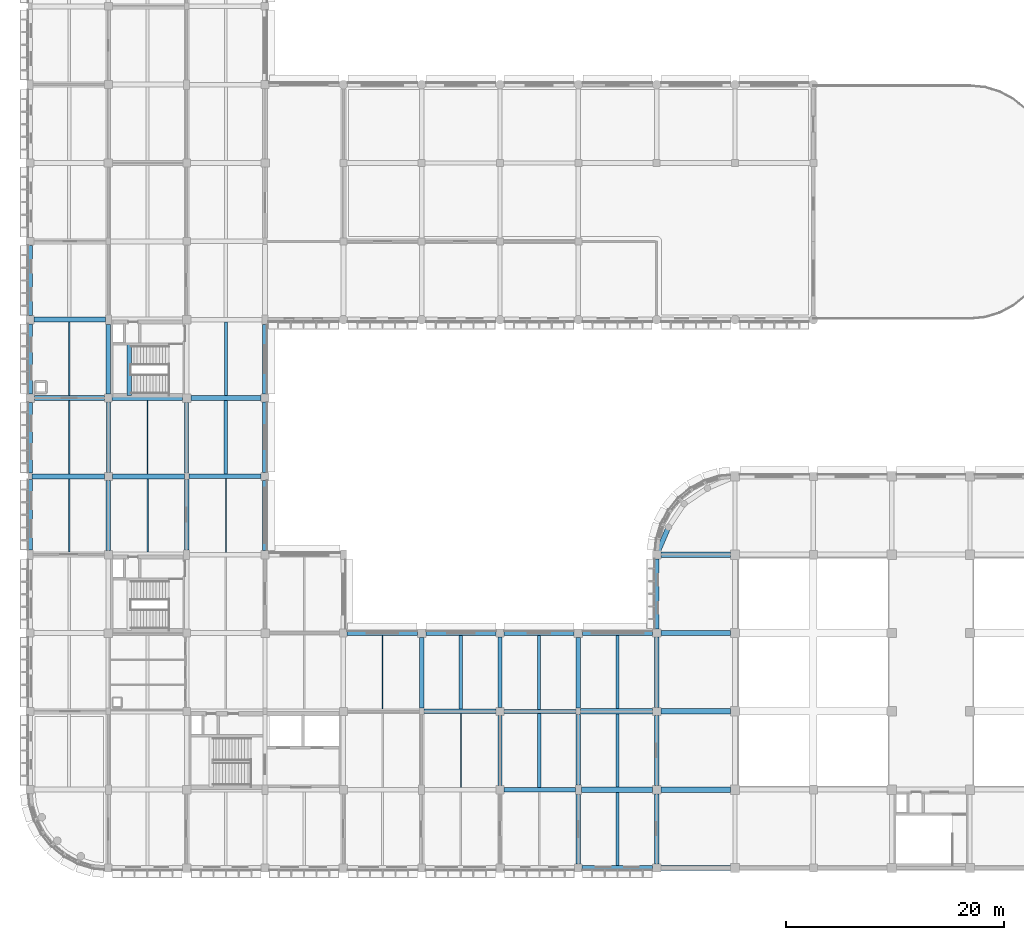
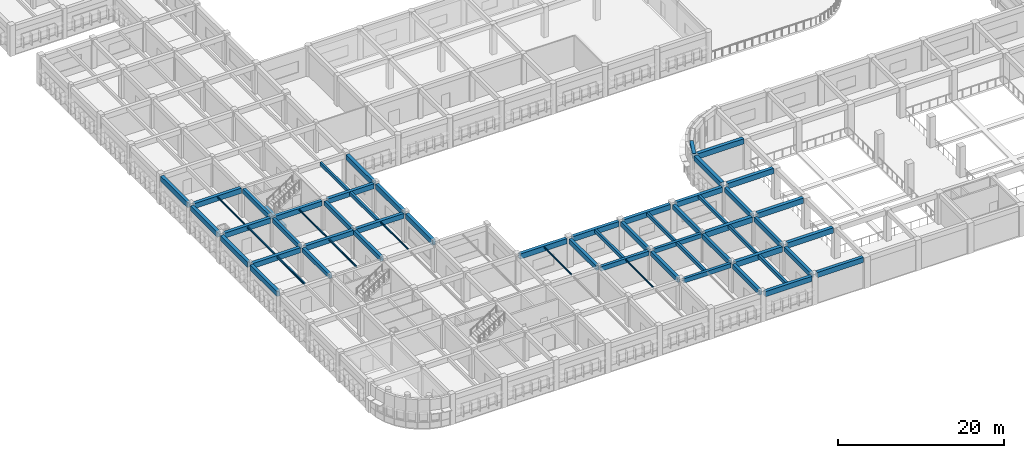
# One storey, part 4 of 61: 62 beams.
"""IFC4 building model written with IfcOpenShell, lengths in metres."""

from ifc_helpers import new_model, si_unit, direction, frame, origin, origin_2d, place, context, subcontext, project, spatial, rectangle, i_section, extrude, material, material_profile, profile_set, type_object, element, save


model = new_model("IFC4")

# Units and contexts
model_context = context("Model", 3, precision=1e-05, world=origin(), true_north=direction((0.0, 1.0)))
body_context = subcontext(model_context, "Body", "Model", "MODEL_VIEW")
ifc_project = project(units=[si_unit("LENGTHUNIT", "METRE"), si_unit("AREAUNIT", "SQUARE_METRE"), si_unit("VOLUMEUNIT", "CUBIC_METRE"), si_unit("PLANEANGLEUNIT", "RADIAN"), si_unit("MASSUNIT", "GRAM", prefix="KILO")], contexts=[model_context])

# Site, building, storey
site_placement = place(None, origin())
site = spatial("IfcSite", under=ifc_project, at=site_placement, CompositionType="ELEMENT")
building_placement = place(site_placement, origin())
building = spatial("IfcBuilding", under=site, at=building_placement, Name="Thalmaran Polytechnic", CompositionType="ELEMENT")
storey_placement = place(building_placement, frame((0.0, 0.0, 9.89990234375)))
storey = spatial("IfcBuildingStorey", under=building, at=storey_placement, Name="L02", CompositionType="ELEMENT", Elevation=9.89990234375)

# Beams
ifc_material_1 = material(Name="Concrete C40/50", Category="concrete")
ifc_material_profile_1 = material_profile(ifc_material_1, rectangle(XDim=0.5, YDim=0.800048828125, at=origin_2d()), Name="RC 500x800")
ifc_profile_set_1 = profile_set([ifc_material_profile_1], Name="Concrete C40/50")
beam_type_1 = type_object("IfcBeamType", Name="BM-RC02", PredefinedType="BEAM", material=ifc_profile_set_1)
beam_1_placement = place(storey_placement, frame((50.675048828125, 7.199951171875, 3.815185546875), z_axis=(1.0, 0.0, 0.0), x_axis=(0.0, 1.0, 0.0)))
element("IfcBeam", 1, at=beam_1_placement, inside=storey, type_object=beam_type_1, Name="Grid Beam B02 L02 X(7,1)", PredefinedType="BEAM", context=body_context, shape_type="SweptSolid", body=[
    extrude(rectangle(XDim=0.5, YDim=0.800048828125, at=origin_2d()), origin(), (0.0, 0.0, 1.0), 6.550048828125),
])
beam_2_placement = place(storey_placement, frame((50.60009765625, 14.39990234375, 3.815185546875), z_axis=(1.0, 0.0, 0.0), x_axis=(0.0, 1.0, 0.0)))
element("IfcBeam", 2, at=beam_2_placement, inside=storey, type_object=beam_type_1, Name="Grid Beam B02 L02 X(7,2)", PredefinedType="BEAM", context=body_context, shape_type="SweptSolid", body=[
    extrude(rectangle(XDim=0.5, YDim=0.800048828125, at=origin_2d()), origin(), (0.0, 0.0, 1.0), 6.625),
])
ifc_material_profile_2 = material_profile(ifc_material_1, rectangle(XDim=0.449951171875, YDim=0.72509765625, at=origin_2d()), Name="RC 450x725")
ifc_profile_set_2 = profile_set([ifc_material_profile_2], Name="Concrete C40/50")
beam_type_2 = type_object("IfcBeamType", Name="BM-RC04", PredefinedType="BEAM", material=ifc_profile_set_2)
beam_3_placement = place(storey_placement, frame((7.56005859375, 36.0, 3.862548828125), z_axis=(1.0, 0.0, 0.0), x_axis=(0.0, 1.0, 0.0)))
element("IfcBeam", 3, at=beam_3_placement, inside=storey, type_object=beam_type_2, Name="Grid Beam B04 L02 X(1,5)", PredefinedType="BEAM", context=body_context, shape_type="SweptSolid", body=[
    extrude(rectangle(XDim=0.449951171875, YDim=0.72509765625, at=origin_2d()), origin(), (0.0, 0.0, 1.0), 6.639892578125),
])
beam_4_placement = place(storey_placement, frame((7.550048828125, 43.199951171875, 3.862548828125), z_axis=(1.0, 0.0, 0.0), x_axis=(0.0, 1.0, 0.0)))
element("IfcBeam", 4, at=beam_4_placement, inside=storey, type_object=beam_type_2, Name="Grid Beam B04 L02 X(1,6)", PredefinedType="BEAM", context=body_context, shape_type="SweptSolid", body=[
    extrude(rectangle(XDim=0.449951171875, YDim=0.72509765625, at=origin_2d()), origin(), (0.0, 0.0, 1.0), 6.4599609375),
])
ifc_material_profile_3 = material_profile(ifc_material_1, rectangle(XDim=0.39990234375, YDim=0.64990234375, at=origin_2d()), Name="RC 400x650")
ifc_profile_set_3 = profile_set([ifc_material_profile_3], Name="Concrete C40/50")
beam_type_3 = type_object("IfcBeamType", Name="BM-RC06", PredefinedType="BEAM", material=ifc_profile_set_3)
beam_5_placement = place(storey_placement, frame((36.199951171875, 14.39990234375, 3.89013671875), z_axis=(1.0, 0.0, 0.0), x_axis=(0.0, 1.0, 0.0)))
element("IfcBeam", 5, at=beam_5_placement, inside=storey, type_object=beam_type_3, Name="Grid Beam B06 L02 X(5,2)", PredefinedType="BEAM", context=body_context, shape_type="SweptSolid", body=[
    extrude(rectangle(XDim=0.39990234375, YDim=0.64990234375, at=origin_2d()), origin(), (0.0, 0.0, 1.0), 6.64013671875),
])
ifc_material_profile_4 = material_profile(ifc_material_1, rectangle(XDim=0.39990234375, YDim=0.6298828125, at=origin_2d()), Name="RC 400x630")
ifc_profile_set_4 = profile_set([ifc_material_profile_4], Name="Concrete C40/50")
beam_type_4 = type_object("IfcBeamType", Name="BM-RC07", PredefinedType="BEAM", material=ifc_profile_set_4)
beam_6_placement = place(storey_placement, frame((7.199951171875, 29.175048828125, 3.91015625), z_axis=(0.0, 1.0, 0.0), x_axis=(-1.0, 0.0, 0.0)))
element("IfcBeam", 6, at=beam_6_placement, inside=storey, type_object=beam_type_4, Name="Grid Beam B07 L02 Y(1,4)", PredefinedType="BEAM", context=body_context, shape_type="SweptSolid", body=[
    extrude(rectangle(XDim=0.39990234375, YDim=0.6298828125, at=origin_2d()), origin(), (0.0, 0.0, 1.0), 6.46484375),
])
beam_7_placement = place(storey_placement, frame((14.39990234375, 29.22509765625, 3.91015625), z_axis=(0.0, 1.0, 0.0), x_axis=(-1.0, 0.0, 0.0)))
element("IfcBeam", 7, at=beam_7_placement, inside=storey, type_object=beam_type_4, Name="Grid Beam B07 L02 Y(2,4)", PredefinedType="BEAM", context=body_context, shape_type="SweptSolid", body=[
    extrude(rectangle(XDim=0.39990234375, YDim=0.6298828125, at=origin_2d()), origin(), (0.0, 0.0, 1.0), 6.474853515625),
])
ifc_material_profile_5 = material_profile(ifc_material_1, rectangle(XDim=0.389892578125, YDim=0.68505859375, at=origin_2d()), Name="RC 390x685")
ifc_profile_set_5 = profile_set([ifc_material_profile_5], Name="Concrete C40/50")
beam_type_5 = type_object("IfcBeamType", Name="BM-RC08", PredefinedType="BEAM", material=ifc_profile_set_5)
beam_8_placement = place(storey_placement, frame((7.199951171875, 43.550048828125, 3.882568359375), z_axis=(0.0, 1.0, 0.0), x_axis=(-1.0, 0.0, 0.0)))
element("IfcBeam", 8, at=beam_8_placement, inside=storey, type_object=beam_type_5, Name="Grid Beam B08 L02 Y(1,6)", PredefinedType="BEAM", context=body_context, shape_type="SweptSolid", body=[
    extrude(rectangle(XDim=0.389892578125, YDim=0.68505859375, at=origin_2d()), origin(), (0.0, 0.0, 1.0), 6.425048828125),
])
ifc_material_profile_6 = material_profile(ifc_material_1, rectangle(XDim=0.389892578125, YDim=0.68994140625, at=origin_2d()), Name="RC 390x690")
ifc_profile_set_6 = profile_set([ifc_material_profile_6], Name="Concrete C40/50")
beam_type_6 = type_object("IfcBeamType", Name="BM-RC09", PredefinedType="BEAM", material=ifc_profile_set_6)
beam_9_placement = place(storey_placement, frame((43.199951171875, 7.574951171875, 3.8701171875), z_axis=(0.0, 1.0, 0.0), x_axis=(-1.0, 0.0, 0.0)))
element("IfcBeam", 9, at=beam_9_placement, inside=storey, type_object=beam_type_6, Name="Grid Beam B09 L02 Y(6,1)", PredefinedType="BEAM", context=body_context, shape_type="SweptSolid", body=[
    extrude(rectangle(XDim=0.389892578125, YDim=0.68994140625, at=origin_2d()), origin(), (0.0, 0.0, 1.0), 6.465087890625),
])
beam_10_placement = place(storey_placement, frame((50.39990234375, 7.625, 3.8701171875), z_axis=(0.0, 1.0, 0.0), x_axis=(-1.0, 0.0, 0.0)))
element("IfcBeam", 10, at=beam_10_placement, inside=storey, type_object=beam_type_6, Name="Grid Beam B09 L02 Y(7,1)", PredefinedType="BEAM", context=body_context, shape_type="SweptSolid", body=[
    extrude(rectangle(XDim=0.389892578125, YDim=0.68994140625, at=origin_2d()), origin(), (0.0, 0.0, 1.0), 6.47509765625),
])
beam_11_placement = place(storey_placement, frame((57.60009765625, 7.574951171875, 3.8701171875), z_axis=(0.0, 1.0, 0.0), x_axis=(-1.0, 0.0, 0.0)))
element("IfcBeam", 11, at=beam_11_placement, inside=storey, type_object=beam_type_6, Name="Grid Beam B09 L02 Y(8,1)", PredefinedType="BEAM", context=body_context, shape_type="SweptSolid", body=[
    extrude(rectangle(XDim=0.389892578125, YDim=0.68994140625, at=origin_2d()), origin(), (0.0, 0.0, 1.0), 6.449951171875),
])
ifc_material_profile_7 = material_profile(ifc_material_1, rectangle(XDim=0.389892578125, YDim=0.695068359375, at=origin_2d()), Name="RC 390x695")
ifc_profile_set_7 = profile_set([ifc_material_profile_7], Name="Concrete C40/50")
beam_type_7 = type_object("IfcBeamType", Name="BM-RC10", PredefinedType="BEAM", material=ifc_profile_set_7)
beam_12_placement = place(storey_placement, frame((9.1201171875, 43.43994140625, 1.7900390625), z_axis=(0.0, 1.0, 0.0), x_axis=(-1.0, 0.0, 0.0)))
element("IfcBeam", 12, at=beam_12_placement, inside=storey, type_object=beam_type_7, Name="ST4 L02 Half-Landing Trimmer Beam", PredefinedType="BEAM", context=body_context, shape_type="SweptSolid", body=[
    extrude(rectangle(XDim=0.389892578125, YDim=0.695068359375, at=origin_2d()), origin(), (0.0, 0.0, 1.0), 4.699951171875),
])
ifc_material_profile_8 = material_profile(ifc_material_1, rectangle(XDim=0.300048828125, YDim=0.5, at=origin_2d()), Name="RC 300x500")
ifc_profile_set_8 = profile_set([ifc_material_profile_8], Name="Concrete C40/50")
beam_type_8 = type_object("IfcBeamType", Name="BM-RC11", PredefinedType="JOIST", material=ifc_profile_set_8)
beam_13_placement = place(storey_placement, frame((18.0, 36.219970703125, 3.97509765625), z_axis=(0.0, 1.0, 0.0), x_axis=(-1.0, 0.0, 0.0)))
element("IfcBeam", 13, at=beam_13_placement, inside=storey, type_object=beam_type_8, Name="Secondary Floor Rib RB01 L02 (2,5)", PredefinedType="JOIST", context=body_context, shape_type="SweptSolid", body=[
    extrude(rectangle(XDim=0.300048828125, YDim=0.5, at=origin_2d()), origin(), (0.0, 0.0, 1.0), 6.760009765625),
])
beam_14_placement = place(storey_placement, frame((39.60009765625, 14.60009765625, 3.965087890625), z_axis=(0.0, 1.0, 0.0), x_axis=(-1.0, 0.0, 0.0)))
element("IfcBeam", 14, at=beam_14_placement, inside=storey, type_object=beam_type_8, Name="Secondary Floor Rib RB01 L02 (5,2)", PredefinedType="JOIST", context=body_context, shape_type="SweptSolid", body=[
    extrude(rectangle(XDim=0.300048828125, YDim=0.5, at=origin_2d()), origin(), (0.0, 0.0, 1.0), 6.77490234375),
])
beam_15_placement = place(storey_placement, frame((46.800048828125, 7.389892578125, 3.965087890625), z_axis=(0.0, 1.0, 0.0), x_axis=(-1.0, 0.0, 0.0)))
element("IfcBeam", 15, at=beam_15_placement, inside=storey, type_object=beam_type_8, Name="Secondary Floor Rib RB01 L02 (6,1)", PredefinedType="JOIST", context=body_context, shape_type="SweptSolid", body=[
    extrude(rectangle(XDim=0.300048828125, YDim=0.5, at=origin_2d()), origin(), (0.0, 0.0, 1.0), 6.820068359375),
])
beam_16_placement = place(storey_placement, frame((54.0, 0.22509765625, 3.965087890625), z_axis=(0.0, 1.0, 0.0), x_axis=(-1.0, 0.0, 0.0)))
element("IfcBeam", 16, at=beam_16_placement, inside=storey, type_object=beam_type_8, Name="Secondary Floor Rib RB01 L02 (7,0)", PredefinedType="JOIST", context=body_context, shape_type="SweptSolid", body=[
    extrude(rectangle(XDim=0.300048828125, YDim=0.5, at=origin_2d()), origin(), (0.0, 0.0, 1.0), 6.724853515625),
])
ifc_material_profile_9 = material_profile(ifc_material_1, rectangle(XDim=0.300048828125, YDim=0.449951171875, at=origin_2d()), Name="RC 300x450")
ifc_profile_set_9 = profile_set([ifc_material_profile_9], Name="Concrete C40/50")
beam_type_9 = type_object("IfcBeamType", Name="BM-RC12", PredefinedType="JOIST", material=ifc_profile_set_9)
beam_17_placement = place(storey_placement, frame((54.0, 14.64990234375, 3.989990234375), z_axis=(0.0, 1.0, 0.0), x_axis=(-1.0, 0.0, 0.0)))
element("IfcBeam", 17, at=beam_17_placement, inside=storey, type_object=beam_type_9, Name="Secondary Floor Rib RB02 L02 (7,2)", PredefinedType="JOIST", context=body_context, shape_type="SweptSolid", body=[
    extrude(rectangle(XDim=0.300048828125, YDim=0.449951171875, at=origin_2d()), origin(), (0.0, 0.0, 1.0), 6.72509765625),
])
ifc_material_2 = material(Name="Steel S355", Category="steel")
ifc_material_profile_10 = material_profile(ifc_material_2, i_section(OverallWidth=0.159912109375, OverallDepth=0.330078125, WebThickness=0.007568359375, FlangeThickness=0.011474609375, at=origin_2d()), Name="IPE 330")
ifc_profile_set_10 = profile_set([ifc_material_profile_10], Name="Steel S355")
beam_type_10 = type_object("IfcBeamType", Name="BM-SJ02", PredefinedType="JOIST", material=ifc_profile_set_10)
beam_18_placement = place(storey_placement, frame((3.60009765625, 29.030029296875, 4.06005859375), z_axis=(0.0, 1.0, 0.0), x_axis=(-1.0, 0.0, 0.0)))
element("IfcBeam", 18, at=beam_18_placement, inside=storey, type_object=beam_type_10, Name="Secondary Floor Rib SJ02 L02 (0,4)", PredefinedType="JOIST", context=body_context, shape_type="SweptSolid", body=[
    extrude(i_section(OverallWidth=0.159912109375, OverallDepth=0.330078125, WebThickness=0.007568359375, FlangeThickness=0.011474609375, at=origin_2d()), origin(), (0.0, 0.0, 1.0), 6.739990234375),
])
ifc_material_profile_11 = material_profile(ifc_material_2, i_section(OverallWidth=0.135009765625, OverallDepth=0.27001953125, WebThickness=0.006591796875, FlangeThickness=0.01025390625, at=origin_2d()), Name="IPE 270")
ifc_profile_set_11 = profile_set([ifc_material_profile_11], Name="Steel S355")
beam_type_11 = type_object("IfcBeamType", Name="BM-SJ03", PredefinedType="JOIST", material=ifc_profile_set_11)
beam_19_placement = place(storey_placement, frame((3.60009765625, 36.22998046875, 4.090087890625), z_axis=(0.0, 1.0, 0.0), x_axis=(-1.0, 0.0, 0.0)))
element("IfcBeam", 19, at=beam_19_placement, inside=storey, type_object=beam_type_11, Name="Secondary Floor Rib SJ03 L02 (0,5)", PredefinedType="JOIST", context=body_context, shape_type="SweptSolid", body=[
    extrude(i_section(OverallWidth=0.135009765625, OverallDepth=0.27001953125, WebThickness=0.006591796875, FlangeThickness=0.01025390625, at=origin_2d()), origin(), (0.0, 0.0, 1.0), 6.739990234375),
])
beam_20_placement = place(storey_placement, frame((10.800048828125, 29.02490234375, 4.090087890625), z_axis=(0.0, 1.0, 0.0), x_axis=(-1.0, 0.0, 0.0)))
element("IfcBeam", 20, at=beam_20_placement, inside=storey, type_object=beam_type_11, Name="Secondary Floor Rib SJ03 L02 (1,4)", PredefinedType="JOIST", context=body_context, shape_type="SweptSolid", body=[
    extrude(i_section(OverallWidth=0.135009765625, OverallDepth=0.27001953125, WebThickness=0.006591796875, FlangeThickness=0.01025390625, at=origin_2d()), origin(), (0.0, 0.0, 1.0), 6.75),
])
ifc_material_profile_12 = material_profile(ifc_material_2, i_section(OverallWidth=0.110107421875, OverallDepth=0.219970703125, WebThickness=0.005859375, FlangeThickness=0.00927734375, at=origin_2d()), Name="IPE 220")
ifc_profile_set_12 = profile_set([ifc_material_profile_12], Name="Steel S355")
beam_type_12 = type_object("IfcBeamType", Name="BM-SJ04", PredefinedType="JOIST", material=ifc_profile_set_12)
beam_21_placement = place(storey_placement, frame((3.60009765625, 43.429931640625, 4.114990234375), z_axis=(0.0, 1.0, 0.0), x_axis=(-1.0, 0.0, 0.0)))
element("IfcBeam", 21, at=beam_21_placement, inside=storey, type_object=beam_type_12, Name="Secondary Floor Rib SJ04 L02 (0,6)", PredefinedType="JOIST", context=body_context, shape_type="SweptSolid", body=[
    extrude(i_section(OverallWidth=0.110107421875, OverallDepth=0.219970703125, WebThickness=0.005859375, FlangeThickness=0.00927734375, at=origin_2d()), origin(), (0.0, 0.0, 1.0), 6.739990234375),
])
beam_22_placement = place(storey_placement, frame((10.800048828125, 36.22509765625, 4.114990234375), z_axis=(0.0, 1.0, 0.0), x_axis=(-1.0, 0.0, 0.0)))
element("IfcBeam", 22, at=beam_22_placement, inside=storey, type_object=beam_type_12, Name="Secondary Floor Rib SJ04 L02 (1,5)", PredefinedType="JOIST", context=body_context, shape_type="SweptSolid", body=[
    extrude(i_section(OverallWidth=0.110107421875, OverallDepth=0.219970703125, WebThickness=0.005859375, FlangeThickness=0.00927734375, at=origin_2d()), origin(), (0.0, 0.0, 1.0), 6.75),
])
beam_23_placement = place(storey_placement, frame((18.0, 29.02001953125, 4.114990234375), z_axis=(0.0, 1.0, 0.0), x_axis=(-1.0, 0.0, 0.0)))
element("IfcBeam", 23, at=beam_23_placement, inside=storey, type_object=beam_type_12, Name="Secondary Floor Rib SJ04 L02 (2,4)", PredefinedType="JOIST", context=body_context, shape_type="SweptSolid", body=[
    extrude(i_section(OverallWidth=0.110107421875, OverallDepth=0.219970703125, WebThickness=0.005859375, FlangeThickness=0.00927734375, at=origin_2d()), origin(), (0.0, 0.0, 1.0), 6.760009765625),
])
beam_24_placement = place(storey_placement, frame((32.39990234375, 14.610107421875, 4.114990234375), z_axis=(0.0, 1.0, 0.0), x_axis=(-1.0, 0.0, 0.0)))
element("IfcBeam", 24, at=beam_24_placement, inside=storey, type_object=beam_type_12, Name="Secondary Floor Rib SJ04 L02 (4,2)", PredefinedType="JOIST", context=body_context, shape_type="SweptSolid", body=[
    extrude(i_section(OverallWidth=0.110107421875, OverallDepth=0.219970703125, WebThickness=0.005859375, FlangeThickness=0.00927734375, at=origin_2d()), origin(), (0.0, 0.0, 1.0), 6.764892578125),
])
beam_25_placement = place(storey_placement, frame((39.60009765625, 7.39990234375, 4.10498046875), z_axis=(0.0, 1.0, 0.0), x_axis=(-1.0, 0.0, 0.0)))
element("IfcBeam", 25, at=beam_25_placement, inside=storey, type_object=beam_type_12, Name="Secondary Floor Rib SJ04 L02 (5,1)", PredefinedType="JOIST", context=body_context, shape_type="SweptSolid", body=[
    extrude(i_section(OverallWidth=0.110107421875, OverallDepth=0.219970703125, WebThickness=0.005859375, FlangeThickness=0.00927734375, at=origin_2d()), origin(), (0.0, 0.0, 1.0), 6.800048828125),
])
ifc_material_profile_13 = material_profile(ifc_material_1, rectangle(XDim=0.449951171875, YDim=0.7548828125, at=origin_2d()), Name="RC 450x755")
ifc_profile_set_13 = profile_set([ifc_material_profile_13], Name="Concrete C40/50")
beam_type_13 = type_object("IfcBeamType", Name="BM-SP02", PredefinedType="SPANDREL", material=ifc_profile_set_13)
for number, where, z_axis, x_axis, name in (
    (26, (29.14990234375, 21.60009765625, 3.84765625), (1.0, 0.0, 0.0), (0.0, 1.0, 0.0), "Grid Beam SP02 L02 X(4,3)"),
    (27, (36.389892578125, 21.60009765625, 3.837646484375), (1.0, 0.0, 0.0), (0.0, 1.0, 0.0), "Grid Beam SP02 L02 X(5,3)"),
):
    element("IfcBeam", number, at=place(storey_placement, frame(where, z_axis=z_axis, x_axis=x_axis)), inside=storey, type_object=beam_type_13, Name=name, PredefinedType="SPANDREL", context=body_context, shape_type="SweptSolid", body=[
        extrude(rectangle(XDim=0.449951171875, YDim=0.7548828125, at=origin_2d()), origin(), (0.0, 0.0, 1.0), 6.460205078125),
    ])
beam_26_placement = place(storey_placement, frame((43.550048828125, 21.60009765625, 3.837646484375), z_axis=(1.0, 0.0, 0.0), x_axis=(0.0, 1.0, 0.0)))
element("IfcBeam", 28, at=beam_26_placement, inside=storey, type_object=beam_type_13, Name="Grid Beam SP02 L02 X(6,3)", PredefinedType="SPANDREL", context=body_context, shape_type="SweptSolid", body=[
    extrude(rectangle(XDim=0.449951171875, YDim=0.7548828125, at=origin_2d()), origin(), (0.0, 0.0, 1.0), 6.4599609375),
])
beam_27_placement = place(storey_placement, frame((50.75, 0.0, 3.837646484375), z_axis=(1.0, 0.0, 0.0), x_axis=(0.0, 1.0, 0.0)))
element("IfcBeam", 29, at=beam_27_placement, inside=storey, type_object=beam_type_13, Name="Grid Beam SP02 L02 X(7,0)", PredefinedType="SPANDREL", context=body_context, shape_type="SweptSolid", body=[
    extrude(rectangle(XDim=0.449951171875, YDim=0.7548828125, at=origin_2d()), origin(), (0.0, 0.0, 1.0), 6.47509765625),
])
beam_28_placement = place(storey_placement, frame((50.7900390625, 21.60009765625, 3.837646484375), z_axis=(1.0, 0.0, 0.0), x_axis=(0.0, 1.0, 0.0)))
element("IfcBeam", 30, at=beam_28_placement, inside=storey, type_object=beam_type_13, Name="Grid Beam SP02 L02 X(7,3)", PredefinedType="SPANDREL", context=body_context, shape_type="SweptSolid", body=[
    extrude(rectangle(XDim=0.449951171875, YDim=0.7548828125, at=origin_2d()), origin(), (0.0, 0.0, 1.0), 6.43505859375),
])
beam_29_placement = place(storey_placement, frame((57.97509765625, 0.0, 4.12255859375), z_axis=(1.0, 0.0, 0.0), x_axis=(0.0, 1.0, 0.0)))
element("IfcBeam", 31, at=beam_29_placement, inside=storey, type_object=beam_type_13, Name="Grid Beam SP02 L02 X(8,0)", PredefinedType="SPANDREL", context=body_context, shape_type="SweptSolid", body=[
    extrude(rectangle(XDim=0.449951171875, YDim=0.7548828125, at=origin_2d()), origin(), (0.0, 0.0, 1.0), 6.39990234375),
])
beam_30_placement = place(storey_placement, frame((0.0, 29.22509765625, 3.84765625), z_axis=(0.0, 1.0, 0.0), x_axis=(-1.0, 0.0, 0.0)))
element("IfcBeam", 32, at=beam_30_placement, inside=storey, type_object=beam_type_13, Name="Grid Beam SP02 L02 Y(0,4)", PredefinedType="SPANDREL", context=body_context, shape_type="SweptSolid", body=[
    extrude(rectangle(XDim=0.449951171875, YDim=0.7548828125, at=origin_2d()), origin(), (0.0, 0.0, 1.0), 6.474853515625),
])
beam_31_placement = place(storey_placement, frame((0.0, 36.300048828125, 3.84765625), z_axis=(0.0, 1.0, 0.0), x_axis=(-1.0, 0.0, 0.0)))
element("IfcBeam", 33, at=beam_31_placement, inside=storey, type_object=beam_type_13, Name="Grid Beam SP02 L02 Y(0,5)", PredefinedType="SPANDREL", context=body_context, shape_type="SweptSolid", body=[
    extrude(rectangle(XDim=0.449951171875, YDim=0.7548828125, at=origin_2d()), origin(), (0.0, 0.0, 1.0), 6.510009765625),
])
beam_32_placement = place(storey_placement, frame((0.0, 43.590087890625, 3.84765625), z_axis=(0.0, 1.0, 0.0), x_axis=(-1.0, 0.0, 0.0)))
element("IfcBeam", 34, at=beam_32_placement, inside=storey, type_object=beam_type_13, Name="Grid Beam SP02 L02 Y(0,6)", PredefinedType="SPANDREL", context=body_context, shape_type="SweptSolid", body=[
    extrude(rectangle(XDim=0.449951171875, YDim=0.7548828125, at=origin_2d()), origin(), (0.0, 0.0, 1.0), 6.434814453125),
])
beam_33_placement = place(storey_placement, frame((0.0, 50.77490234375, 3.84765625), z_axis=(0.0, 1.0, 0.0), x_axis=(-1.0, 0.0, 0.0)))
element("IfcBeam", 35, at=beam_33_placement, inside=storey, type_object=beam_type_13, Name="Grid Beam SP02 L02 Y(0,7)", PredefinedType="SPANDREL", context=body_context, shape_type="SweptSolid", body=[
    extrude(rectangle(XDim=0.449951171875, YDim=0.7548828125, at=origin_2d()), origin(), (0.0, 0.0, 1.0), 6.465087890625),
])
beam_34_placement = place(storey_placement, frame((21.60009765625, 29.175048828125, 3.84765625), z_axis=(0.0, 1.0, 0.0), x_axis=(-1.0, 0.0, 0.0)))
element("IfcBeam", 36, at=beam_34_placement, inside=storey, type_object=beam_type_13, Name="Grid Beam SP02 L02 Y(3,4)", PredefinedType="SPANDREL", context=body_context, shape_type="SweptSolid", body=[
    extrude(rectangle(XDim=0.449951171875, YDim=0.7548828125, at=origin_2d()), origin(), (0.0, 0.0, 1.0), 6.46484375),
])
beam_35_placement = place(storey_placement, frame((21.60009765625, 36.360107421875, 3.84765625), z_axis=(0.0, 1.0, 0.0), x_axis=(-1.0, 0.0, 0.0)))
element("IfcBeam", 37, at=beam_35_placement, inside=storey, type_object=beam_type_13, Name="Grid Beam SP02 L02 Y(3,5)", PredefinedType="SPANDREL", context=body_context, shape_type="SweptSolid", body=[
    extrude(rectangle(XDim=0.449951171875, YDim=0.7548828125, at=origin_2d()), origin(), (0.0, 0.0, 1.0), 6.489990234375),
])
beam_36_placement = place(storey_placement, frame((21.60009765625, 43.550048828125, 3.84765625), z_axis=(0.0, 1.0, 0.0), x_axis=(-1.0, 0.0, 0.0)))
element("IfcBeam", 38, at=beam_36_placement, inside=storey, type_object=beam_type_13, Name="Grid Beam SP02 L02 Y(3,6)", PredefinedType="SPANDREL", context=body_context, shape_type="SweptSolid", body=[
    extrude(rectangle(XDim=0.449951171875, YDim=0.7548828125, at=origin_2d()), origin(), (0.0, 0.0, 1.0), 6.425048828125),
])
beam_37_placement = place(storey_placement, frame((57.60009765625, 21.97509765625, 4.12255859375), z_axis=(0.0, 1.0, 0.0), x_axis=(-1.0, 0.0, 0.0)))
element("IfcBeam", 39, at=beam_37_placement, inside=storey, type_object=beam_type_13, Name="Grid Beam SP02 L02 Y(8,3)", PredefinedType="SPANDREL", context=body_context, shape_type="SweptSolid", body=[
    extrude(rectangle(XDim=0.449951171875, YDim=0.7548828125, at=origin_2d()), origin(), (0.0, 0.0, 1.0), 6.449951171875),
])
beam_38_placement = place(storey_placement, frame((58.683837890625, 31.333251953125, 4.16015625), z_axis=(-0.393331043936, -0.919396916395, 0.0), x_axis=(0.919396916395, -0.393331043936, 0.0)))
element("IfcBeam", 40, at=beam_38_placement, inside=storey, type_object=beam_type_13, Name="Lecture Curved Eave Ring Beam 4", PredefinedType="SPANDREL", context=body_context, shape_type="SweptSolid", body=[
    extrude(rectangle(XDim=0.449951171875, YDim=0.7548828125, at=origin_2d()), origin(), (0.0, 0.0, 1.0), 2.75537109375),
])
ifc_material_profile_14 = material_profile(ifc_material_1, rectangle(XDim=0.47998046875, YDim=0.780029296875, at=origin_2d()), Name="RC 480x780")
ifc_profile_set_14 = profile_set([ifc_material_profile_14], Name="Concrete C40/50")
beam_type_14 = type_object("IfcBeamType", Name="BM-ZB01", PredefinedType="BEAM", material=ifc_profile_set_14)
for number, where, z_axis, x_axis, name in (
    (41, (57.97509765625, 7.199951171875, 4.110107421875), (1.0, 0.0, 0.0), (0.0, 1.0, 0.0), "Grid Beam ZB01 L02 X(8,1)"),
    (42, (57.97509765625, 14.39990234375, 4.110107421875), (1.0, 0.0, 0.0), (0.0, 1.0, 0.0), "Grid Beam ZB01 L02 X(8,2)"),
    (43, (57.97509765625, 21.60009765625, 4.110107421875), (1.0, 0.0, 0.0), (0.0, 1.0, 0.0), "Grid Beam ZB01 L02 X(8,3)"),
    (44, (57.97509765625, 28.800048828125, 4.110107421875), (1.0, 0.0, 0.0), (0.0, 1.0, 0.0), "Grid Beam ZB01 L02 X(8,4)"),
):
    element("IfcBeam", number, at=place(storey_placement, frame(where, z_axis=z_axis, x_axis=x_axis)), inside=storey, type_object=beam_type_14, Name=name, PredefinedType="BEAM", context=body_context, shape_type="SweptSolid", body=[
        extrude(rectangle(XDim=0.47998046875, YDim=0.780029296875, at=origin_2d()), origin(), (0.0, 0.0, 1.0), 6.39990234375),
    ])
ifc_material_profile_15 = material_profile(ifc_material_1, rectangle(XDim=0.4599609375, YDim=0.739990234375, at=origin_2d()), Name="RC 460x740")
ifc_profile_set_15 = profile_set([ifc_material_profile_15], Name="Concrete C40/50")
beam_type_15 = type_object("IfcBeamType", Name="BM-ZB02", PredefinedType="BEAM", material=ifc_profile_set_15)
beam_39_placement = place(storey_placement, frame((0.199951171875, 36.0, 3.85498046875), z_axis=(1.0, 0.0, 0.0), x_axis=(0.0, 1.0, 0.0)))
element("IfcBeam", 45, at=beam_39_placement, inside=storey, type_object=beam_type_15, Name="Grid Beam ZB02 L02 X(0,5)", PredefinedType="BEAM", context=body_context, shape_type="SweptSolid", body=[
    extrude(rectangle(XDim=0.4599609375, YDim=0.739990234375, at=origin_2d()), origin(), (0.0, 0.0, 1.0), 6.64013671875),
])
beam_40_placement = place(storey_placement, frame((0.389892578125, 43.199951171875, 3.85498046875), z_axis=(1.0, 0.0, 0.0), x_axis=(0.0, 1.0, 0.0)))
element("IfcBeam", 46, at=beam_40_placement, inside=storey, type_object=beam_type_15, Name="Grid Beam ZB02 L02 X(0,6)", PredefinedType="BEAM", context=body_context, shape_type="SweptSolid", body=[
    extrude(rectangle(XDim=0.4599609375, YDim=0.739990234375, at=origin_2d()), origin(), (0.0, 0.0, 1.0), 6.460205078125),
])
beam_41_placement = place(storey_placement, frame((0.375, 50.39990234375, 3.85498046875), z_axis=(1.0, 0.0, 0.0), x_axis=(0.0, 1.0, 0.0)))
element("IfcBeam", 47, at=beam_41_placement, inside=storey, type_object=beam_type_15, Name="Grid Beam ZB02 L02 X(0,7)", PredefinedType="BEAM", context=body_context, shape_type="SweptSolid", body=[
    extrude(rectangle(XDim=0.4599609375, YDim=0.739990234375, at=origin_2d()), origin(), (0.0, 0.0, 1.0), 6.550048828125),
])
ifc_material_profile_16 = material_profile(ifc_material_1, rectangle(XDim=0.43994140625, YDim=0.719970703125, at=origin_2d()), Name="RC 440x720")
ifc_profile_set_16 = profile_set([ifc_material_profile_16], Name="Concrete C40/50")
beam_type_16 = type_object("IfcBeamType", Name="BM-ZB03", PredefinedType="BEAM", material=ifc_profile_set_16)
beam_42_placement = place(storey_placement, frame((14.60009765625, 36.0, 3.864990234375), z_axis=(1.0, 0.0, 0.0), x_axis=(0.0, 1.0, 0.0)))
element("IfcBeam", 48, at=beam_42_placement, inside=storey, type_object=beam_type_16, Name="Grid Beam ZB03 L02 X(2,5)", PredefinedType="BEAM", context=body_context, shape_type="SweptSolid", body=[
    extrude(rectangle(XDim=0.43994140625, YDim=0.719970703125, at=origin_2d()), origin(), (0.0, 0.0, 1.0), 6.639892578125),
])
beam_43_placement = place(storey_placement, frame((14.7900390625, 43.199951171875, 3.864990234375), z_axis=(1.0, 0.0, 0.0), x_axis=(0.0, 1.0, 0.0)))
element("IfcBeam", 49, at=beam_43_placement, inside=storey, type_object=beam_type_16, Name="Grid Beam ZB03 L02 X(2,6)", PredefinedType="BEAM", context=body_context, shape_type="SweptSolid", body=[
    extrude(rectangle(XDim=0.43994140625, YDim=0.719970703125, at=origin_2d()), origin(), (0.0, 0.0, 1.0), 6.4599609375),
])
ifc_material_profile_17 = material_profile(ifc_material_1, rectangle(XDim=0.3798828125, YDim=0.639892578125, at=origin_2d()), Name="RC 380x640")
ifc_profile_set_17 = profile_set([ifc_material_profile_17], Name="Concrete C40/50")
beam_type_17 = type_object("IfcBeamType", Name="BM-ZB05", PredefinedType="BEAM", material=ifc_profile_set_17)
beam_44_placement = place(storey_placement, frame((43.574951171875, 7.199951171875, 3.89501953125), z_axis=(1.0, 0.0, 0.0), x_axis=(0.0, 1.0, 0.0)))
element("IfcBeam", 50, at=beam_44_placement, inside=storey, type_object=beam_type_17, Name="Grid Beam ZB05 L02 X(6,1)", PredefinedType="BEAM", context=body_context, shape_type="SweptSolid", body=[
    extrude(rectangle(XDim=0.3798828125, YDim=0.639892578125, at=origin_2d()), origin(), (0.0, 0.0, 1.0), 6.550048828125),
])
beam_45_placement = place(storey_placement, frame((43.56005859375, 14.39990234375, 3.89501953125), z_axis=(1.0, 0.0, 0.0), x_axis=(0.0, 1.0, 0.0)))
element("IfcBeam", 51, at=beam_45_placement, inside=storey, type_object=beam_type_17, Name="Grid Beam ZB05 L02 X(6,2)", PredefinedType="BEAM", context=body_context, shape_type="SweptSolid", body=[
    extrude(rectangle(XDim=0.3798828125, YDim=0.639892578125, at=origin_2d()), origin(), (0.0, 0.0, 1.0), 6.639892578125),
])
ifc_material_profile_18 = material_profile(ifc_material_1, rectangle(XDim=0.3798828125, YDim=0.635009765625, at=origin_2d()), Name="RC 380x635")
ifc_profile_set_18 = profile_set([ifc_material_profile_18], Name="Concrete C40/50")
beam_type_18 = type_object("IfcBeamType", Name="BM-ZB06", PredefinedType="BEAM", material=ifc_profile_set_18)
beam_46_placement = place(storey_placement, frame((7.199951171875, 36.360107421875, 3.90771484375), z_axis=(0.0, 1.0, 0.0), x_axis=(-1.0, 0.0, 0.0)))
element("IfcBeam", 52, at=beam_46_placement, inside=storey, type_object=beam_type_18, Name="Grid Beam ZB06 L02 Y(1,5)", PredefinedType="BEAM", context=body_context, shape_type="SweptSolid", body=[
    extrude(rectangle(XDim=0.3798828125, YDim=0.635009765625, at=origin_2d()), origin(), (0.0, 0.0, 1.0), 6.489990234375),
])
beam_47_placement = place(storey_placement, frame((14.39990234375, 36.300048828125, 3.90771484375), z_axis=(0.0, 1.0, 0.0), x_axis=(-1.0, 0.0, 0.0)))
element("IfcBeam", 53, at=beam_47_placement, inside=storey, type_object=beam_type_18, Name="Grid Beam ZB06 L02 Y(2,5)", PredefinedType="BEAM", context=body_context, shape_type="SweptSolid", body=[
    extrude(rectangle(XDim=0.3798828125, YDim=0.635009765625, at=origin_2d()), origin(), (0.0, 0.0, 1.0), 6.510009765625),
])
ifc_material_profile_19 = material_profile(ifc_material_1, rectangle(XDim=0.39990234375, YDim=0.68505859375, at=origin_2d()), Name="RC 400x685")
ifc_profile_set_19 = profile_set([ifc_material_profile_19], Name="Concrete C40/50")
beam_type_19 = type_object("IfcBeamType", Name="BM-ZB07", PredefinedType="BEAM", material=ifc_profile_set_19)
beam_48_placement = place(storey_placement, frame((50.39990234375, 0.35009765625, 3.87255859375), z_axis=(0.0, 1.0, 0.0), x_axis=(-1.0, 0.0, 0.0)))
element("IfcBeam", 54, at=beam_48_placement, inside=storey, type_object=beam_type_19, Name="Grid Beam ZB07 L02 Y(7,0)", PredefinedType="BEAM", context=body_context, shape_type="SweptSolid", body=[
    extrude(rectangle(XDim=0.39990234375, YDim=0.68505859375, at=origin_2d()), origin(), (0.0, 0.0, 1.0), 6.4248046875),
])
beam_49_placement = place(storey_placement, frame((57.60009765625, 0.375, 3.87255859375), z_axis=(0.0, 1.0, 0.0), x_axis=(-1.0, 0.0, 0.0)))
element("IfcBeam", 55, at=beam_49_placement, inside=storey, type_object=beam_type_19, Name="Grid Beam ZB07 L02 Y(8,0)", PredefinedType="BEAM", context=body_context, shape_type="SweptSolid", body=[
    extrude(rectangle(XDim=0.39990234375, YDim=0.68505859375, at=origin_2d()), origin(), (0.0, 0.0, 1.0), 6.449951171875),
])
ifc_material_profile_20 = material_profile(ifc_material_1, rectangle(XDim=0.39990234375, YDim=0.695068359375, at=origin_2d()), Name="RC 400x695")
ifc_profile_set_20 = profile_set([ifc_material_profile_20], Name="Concrete C40/50")
beam_type_20 = type_object("IfcBeamType", Name="BM-ZB08", PredefinedType="BEAM", material=ifc_profile_set_20)
beam_50_placement = place(storey_placement, frame((36.0, 14.699951171875, 3.86767578125), z_axis=(0.0, 1.0, 0.0), x_axis=(-1.0, 0.0, 0.0)))
element("IfcBeam", 56, at=beam_50_placement, inside=storey, type_object=beam_type_20, Name="Grid Beam ZB08 L02 Y(5,2)", PredefinedType="BEAM", context=body_context, shape_type="SweptSolid", body=[
    extrude(rectangle(XDim=0.39990234375, YDim=0.695068359375, at=origin_2d()), origin(), (0.0, 0.0, 1.0), 6.510009765625),
])
beam_51_placement = place(storey_placement, frame((43.199951171875, 14.760009765625, 3.86767578125), z_axis=(0.0, 1.0, 0.0), x_axis=(-1.0, 0.0, 0.0)))
element("IfcBeam", 57, at=beam_51_placement, inside=storey, type_object=beam_type_20, Name="Grid Beam ZB08 L02 Y(6,2)", PredefinedType="BEAM", context=body_context, shape_type="SweptSolid", body=[
    extrude(rectangle(XDim=0.39990234375, YDim=0.695068359375, at=origin_2d()), origin(), (0.0, 0.0, 1.0), 6.489990234375),
])
beam_52_placement = place(storey_placement, frame((50.39990234375, 14.699951171875, 3.86767578125), z_axis=(0.0, 1.0, 0.0), x_axis=(-1.0, 0.0, 0.0)))
element("IfcBeam", 58, at=beam_52_placement, inside=storey, type_object=beam_type_20, Name="Grid Beam ZB08 L02 Y(7,2)", PredefinedType="BEAM", context=body_context, shape_type="SweptSolid", body=[
    extrude(rectangle(XDim=0.39990234375, YDim=0.695068359375, at=origin_2d()), origin(), (0.0, 0.0, 1.0), 6.510009765625),
])
beam_53_placement = place(storey_placement, frame((57.60009765625, 14.77490234375, 3.86767578125), z_axis=(0.0, 1.0, 0.0), x_axis=(-1.0, 0.0, 0.0)))
element("IfcBeam", 59, at=beam_53_placement, inside=storey, type_object=beam_type_20, Name="Grid Beam ZB08 L02 Y(8,2)", PredefinedType="BEAM", context=body_context, shape_type="SweptSolid", body=[
    extrude(rectangle(XDim=0.39990234375, YDim=0.695068359375, at=origin_2d()), origin(), (0.0, 0.0, 1.0), 6.4501953125),
])
ifc_material_profile_21 = material_profile(ifc_material_1, rectangle(XDim=0.280029296875, YDim=0.47998046875, at=origin_2d()), Name="RC 280x480")
ifc_profile_set_21 = profile_set([ifc_material_profile_21], Name="Concrete C40/50")
beam_type_21 = type_object("IfcBeamType", Name="BM-ZJ01", PredefinedType="JOIST", material=ifc_profile_set_21)
beam_54_placement = place(storey_placement, frame((18.0, 43.419921875, 3.985107421875), z_axis=(0.0, 1.0, 0.0), x_axis=(-1.0, 0.0, 0.0)))
element("IfcBeam", 60, at=beam_54_placement, inside=storey, type_object=beam_type_21, Name="Secondary Floor Rib ZJ01 L02 (2,6)", PredefinedType="JOIST", context=body_context, shape_type="SweptSolid", body=[
    extrude(rectangle(XDim=0.280029296875, YDim=0.47998046875, at=origin_2d()), origin(), (0.0, 0.0, 1.0), 6.760009765625),
])
beam_55_placement = place(storey_placement, frame((46.800048828125, 14.590087890625, 3.97509765625), z_axis=(0.0, 1.0, 0.0), x_axis=(-1.0, 0.0, 0.0)))
element("IfcBeam", 61, at=beam_55_placement, inside=storey, type_object=beam_type_21, Name="Secondary Floor Rib ZJ01 L02 (6,2)", PredefinedType="JOIST", context=body_context, shape_type="SweptSolid", body=[
    extrude(rectangle(XDim=0.280029296875, YDim=0.47998046875, at=origin_2d()), origin(), (0.0, 0.0, 1.0), 6.784912109375),
])
beam_56_placement = place(storey_placement, frame((54.0, 7.449951171875, 3.97509765625), z_axis=(0.0, 1.0, 0.0), x_axis=(-1.0, 0.0, 0.0)))
element("IfcBeam", 62, at=beam_56_placement, inside=storey, type_object=beam_type_21, Name="Secondary Floor Rib ZJ01 L02 (7,1)", PredefinedType="JOIST", context=body_context, shape_type="SweptSolid", body=[
    extrude(rectangle(XDim=0.280029296875, YDim=0.47998046875, at=origin_2d()), origin(), (0.0, 0.0, 1.0), 6.699951171875),
])

save(model, "model.ifc")
